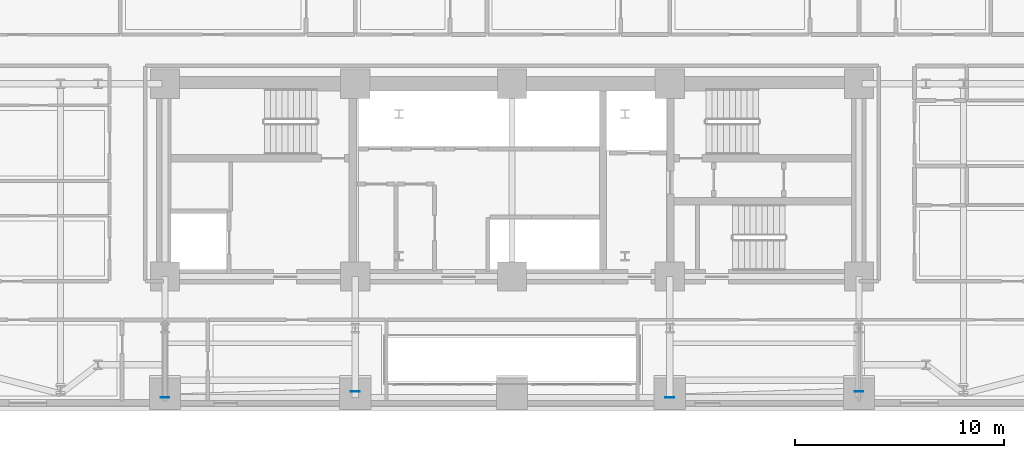
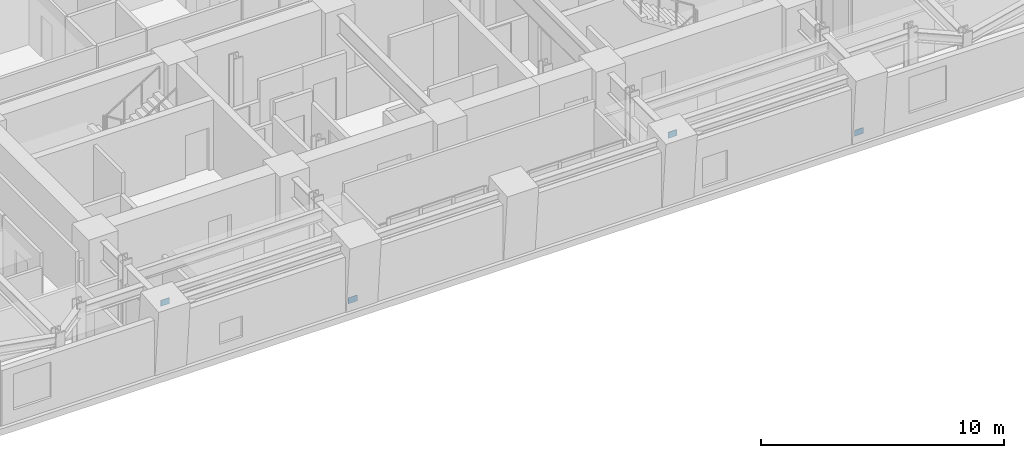
# One storey, part 6 of 15: 4 plates.
"""IFC4 building model written with IfcOpenShell, lengths in metres."""

import ifcopenshell
import ifcopenshell.guid

model = None  # the IFC model being written
_history = None  # IfcOwnerHistory: only IFC2X3 demands one
_inside = {}  # id of a spatial element -> (the spatial element, [elements in it])
_under = {}  # id of a project, library or spatial element -> (it, [spatial elements below it])
_declared = {}  # id of a project -> (the project, [libraries it declares])
_typed = {}  # id of a type object -> (the type object, [elements of that type])
_made_of = {}  # id of a material, layer set ... -> (it, [elements and type objects made of it])


def new_model(schema):
    """Start an empty IFC model of exactly this schema.

    Asked for "IFC4X3", IfcOpenShell would pick the latest addendum, in which some entities
    have other attributes; the version numbers below select the first issue.
    IFC2X3 requires an IfcOwnerHistory on every rooted entity: one is made here for all.
    """
    global model, _history
    if schema == "IFC4X3":
        model = ifcopenshell.file(schema_version=(4, 3, 0, 0))
    else:
        model = ifcopenshell.file(schema=schema)
    _inside.clear()
    _under.clear()
    _declared.clear()
    _typed.clear()
    _made_of.clear()
    _history = None
    if model.schema == "IFC2X3":
        org = make("IfcOrganization", Name="unknown")
        user = make(
            "IfcPersonAndOrganization",
            ThePerson=make("IfcPerson", FamilyName="unknown"),
            TheOrganization=org,
        )
        app = make(
            "IfcApplication",
            ApplicationDeveloper=org,
            Version="unknown",
            ApplicationFullName="unknown",
            ApplicationIdentifier="unknown",
        )
        _history = make(
            "IfcOwnerHistory",
            OwningUser=user,
            OwningApplication=app,
            ChangeAction="ADDED",
            CreationDate=0,
        )
    return model


def make(cls, **values):
    """One entity of the class cls with the attributes given. An attribute that is None is left unset."""
    return model.create_entity(
        cls, **{name: value for name, value in values.items() if value is not None}
    )


def rooted(cls, **values):
    """An entity with a GlobalId (a new one), such as an element, a storey or a relation."""
    return make(cls, GlobalId=ifcopenshell.guid.new(), OwnerHistory=_history, **values)


def si_unit(unit_type, name, prefix=None):
    """IfcSIUnit, for example si_unit("LENGTHUNIT", "METRE", prefix="MILLI")."""
    return make("IfcSIUnit", UnitType=unit_type, Prefix=prefix, Name=name)


def assignment(units):
    """IfcUnitAssignment: the units of a project."""
    return None if units is None else make("IfcUnitAssignment", Units=units)


def point(xyz):
    """IfcCartesianPoint."""
    return None if xyz is None else make("IfcCartesianPoint", Coordinates=xyz)


def direction(xyz):
    """IfcDirection."""
    return None if xyz is None else make("IfcDirection", DirectionRatios=xyz)


def frame(location, z_axis=None, x_axis=None):
    """IfcAxis2Placement3D, a coordinate frame: its origin and axes. An axis left out is left unset."""
    return make(
        "IfcAxis2Placement3D",
        Location=point(location),
        Axis=direction(z_axis),
        RefDirection=direction(x_axis),
    )


def frame_2d(location, x_axis=None):
    """IfcAxis2Placement2D, a coordinate frame in the plane: its origin and x axis."""
    return make(
        "IfcAxis2Placement2D", Location=point(location), RefDirection=direction(x_axis)
    )


def origin():
    """The frame at (0, 0, 0) with its axes left unset."""
    return frame((0.0, 0.0, 0.0))


def origin_2d():
    """The frame at (0, 0) in the plane with its x axis left unset."""
    return frame_2d((0.0, 0.0))


def place(relative_to, where):
    """IfcLocalPlacement: puts the frame where relative to a parent placement (None: the world)."""
    return make(
        "IfcLocalPlacement", PlacementRelTo=relative_to, RelativePlacement=where
    )


def context(
    kind, dimensions, precision=None, world=None, true_north=None, identifier=None
):
    """IfcGeometricRepresentationContext, for example the 3D "Model" context."""
    return make(
        "IfcGeometricRepresentationContext",
        ContextIdentifier=identifier,
        ContextType=kind,
        CoordinateSpaceDimension=dimensions,
        Precision=precision,
        WorldCoordinateSystem=world,
        TrueNorth=true_north,
    )


def subcontext(parent, identifier, kind, view, scale=None):
    """IfcGeometricRepresentationSubContext, for example "Body" below "Model"."""
    return make(
        "IfcGeometricRepresentationSubContext",
        ContextIdentifier=identifier,
        ContextType=kind,
        ParentContext=parent,
        TargetScale=scale,
        TargetView=view,
    )


def project(units=None, contexts=None):
    """IfcProject with its units and contexts."""
    return rooted(
        "IfcProject",
        Name="project",
        RepresentationContexts=contexts,
        UnitsInContext=assignment(units),
    )


def spatial(cls, under=None, at=None, **own):
    """A site, building, storey or space (cls), placed at a placement, below another one or the project."""
    s = rooted(cls, ObjectPlacement=at, **own)
    if under is not None:
        _under.setdefault(under.id(), (under, []))[1].append(s)
    return s


def profile(cls, at=None, kind="AREA", **sizes):
    """A parametric profile (cls). Its sizes go by their IFC names, for example OverallWidth=200.0."""
    return make(cls, ProfileType=kind, Position=at, **sizes)


def rectangle(**sizes):
    """IfcRectangleProfileDef."""
    return profile("IfcRectangleProfileDef", **sizes)


def extrude(swept, where, along, depth):
    """IfcExtrudedAreaSolid: the profile swept, set in the frame where, extruded along a direction by depth."""
    return make(
        "IfcExtrudedAreaSolid",
        SweptArea=swept,
        Position=where,
        ExtrudedDirection=direction(along),
        Depth=depth,
    )


def shape(context_of_items, identifier, shape_type, items):
    """IfcShapeRepresentation: the items that make up one representation, for example the "Body"."""
    return make(
        "IfcShapeRepresentation",
        ContextOfItems=context_of_items,
        RepresentationIdentifier=identifier,
        RepresentationType=shape_type,
        Items=items,
    )


def material(Name=None, Category=None):
    """IfcMaterial."""
    return make("IfcMaterial", Name=Name, Category=Category)


def layer(
    of_material, thickness, ventilated=None, Name=None, Category=None, Priority=None
):
    """IfcMaterialLayer: one layer of a wall or slab, of a material (None: an air gap)."""
    return make(
        "IfcMaterialLayer",
        Material=of_material,
        LayerThickness=thickness,
        IsVentilated=ventilated,
        Name=Name,
        Category=Category,
        Priority=Priority,
    )


def layer_set(layers, Name=None):
    """IfcMaterialLayerSet."""
    return make("IfcMaterialLayerSet", MaterialLayers=layers, LayerSetName=Name)


def made_of(thing, what):
    """Note that an element or type object is made of a material, layer set ...; save() writes the relation."""
    if what is not None:
        _made_of.setdefault(what.id(), (what, []))[1].append(thing)
    return thing


def type_object(cls, material=None, **own):
    """A type object (cls), such as IfcWallType, which elements share."""
    return made_of(rooted(cls, **own), material)


def element(
    cls,
    number,
    at=None,
    inside=None,
    cuts=None,
    type_object=None,
    material=None,
    context=None,
    identifier="Body",
    shape_type=None,
    held_by="IfcProductDefinitionShape",
    body=None,
    shapes=None,
    **own,
):
    """One element of the class cls, such as IfcWall. Its Tag is "e" and its number.

    at: its placement. inside: the storey or other place that contains it. cuts: it is an
    opening in that element (IfcRelVoidsElement). A single representation is given by context,
    identifier, shape_type and body (its items); several are given by shapes. held_by: the class
    of the entity that holds the representations. save() writes the other relations.
    """
    e = rooted(cls, Tag="e%d" % number, ObjectPlacement=at, **own)
    if body is not None:
        shapes = [shape(context, identifier, shape_type, body)]
    if shapes is not None:
        e.Representation = make(held_by, Representations=shapes)
    if inside is not None:
        _inside.setdefault(inside.id(), (inside, []))[1].append(e)
    if cuts is not None:
        rooted(
            "IfcRelVoidsElement", RelatingBuildingElement=cuts, RelatedOpeningElement=e
        )
    if type_object is not None:
        _typed.setdefault(type_object.id(), (type_object, []))[1].append(e)
    return made_of(e, material)


def aggregate(whole, parts):
    """IfcRelAggregates: a whole, such as a stair, and the parts it consists of."""
    return rooted("IfcRelAggregates", RelatingObject=whole, RelatedObjects=parts)


def save(model, path):
    """Write the relations noted so far, then the file.

    IfcRelAggregates (storeys below a building ...), IfcRelContainedInSpatialStructure (elements
    in a storey), IfcRelDefinesByType, IfcRelAssociatesMaterial and IfcRelDeclares: one each for
    every whole, place, type object, material and project.
    """
    for whole, parts in _under.values():
        aggregate(whole, parts)
    for where, things in _inside.values():
        rooted(
            "IfcRelContainedInSpatialStructure",
            RelatedElements=things,
            RelatingStructure=where,
        )
    for kind, things in _typed.values():
        rooted("IfcRelDefinesByType", RelatedObjects=things, RelatingType=kind)
    for what, things in _made_of.values():
        rooted("IfcRelAssociatesMaterial", RelatedObjects=things, RelatingMaterial=what)
    for by, libraries in _declared.values():
        rooted("IfcRelDeclares", RelatingContext=by, RelatedDefinitions=libraries)
    model.write(path)


model = new_model("IFC4")

# Units and contexts
model_context = context("Model", 3, precision=1e-05, world=origin(), true_north=direction((0.0, 1.0)))
body_context = subcontext(model_context, "Body", "Model", "MODEL_VIEW")
ifc_project = project(units=[si_unit("LENGTHUNIT", "METRE"), si_unit("AREAUNIT", "SQUARE_METRE"), si_unit("VOLUMEUNIT", "CUBIC_METRE"), si_unit("PLANEANGLEUNIT", "RADIAN"), si_unit("MASSUNIT", "GRAM", prefix="KILO")], contexts=[model_context])

# Site, building, storey
site_placement = place(None, origin())
site = spatial("IfcSite", under=ifc_project, at=site_placement, CompositionType="ELEMENT")
building_placement = place(site_placement, origin())
building = spatial("IfcBuilding", under=site, at=building_placement, Name="Zarnavel Station Tower", CompositionType="ELEMENT")
storey_placement = place(building_placement, frame((0.0, 0.0, 43.0)))
storey = spatial("IfcBuildingStorey", under=building, at=storey_placement, Name="L11", CompositionType="ELEMENT", Elevation=43.0)

# Plates
ifc_material = material(Name="Steel S460M", Category="steel")
ifc_layer = layer(ifc_material, 0.02490234375)
ifc_layer_set = layer_set([ifc_layer], Name="GP_GUSSET_25")
plate_type = type_object("IfcPlateType", Name="GP_GUSSET_25", PredefinedType="USERDEFINED", material=ifc_layer_set)
for number, where, z_axis, x_axis, name in (
    (1, (21.300048828125, 22.331298828125, -0.14990234375), (0.0, 0.0, 1.0), (1.0, 0.0, 0.0), "L11 Exterior Diagonal Brace End Gusset 1-1"),
    (2, (12.199951171875, 22.03759765625, 3.08984375), (0.0, 0.0, 1.0), (1.0, 0.0, 0.0), "L11 Exterior Diagonal Brace End Gusset 1-2"),
    (3, (45.39990234375, 22.331298828125, -0.14990234375), (0.0, 0.0, 1.0), (1.0, 0.0, 0.0), "L11 Exterior Diagonal Brace End Gusset 2-1"),
    (4, (36.35009765625, 22.03759765625, 3.08984375), (0.0, 0.0, 1.0), (1.0, 0.0, 0.0), "L11 Exterior Diagonal Brace End Gusset 2-2"),
):
    element("IfcPlate", number, at=place(storey_placement, frame(where, z_axis=z_axis, x_axis=x_axis)), inside=storey, type_object=plate_type, Name=name, ObjectType="GUSSET_PLATE", PredefinedType="USERDEFINED", context=body_context, shape_type="SweptSolid", body=[
        extrude(rectangle(XDim=0.419921875, YDim=0.02490234375, at=origin_2d()), origin(), (0.0, 0.0, 1.0), 0.300048828125),
    ])

save(model, "model.ifc")
